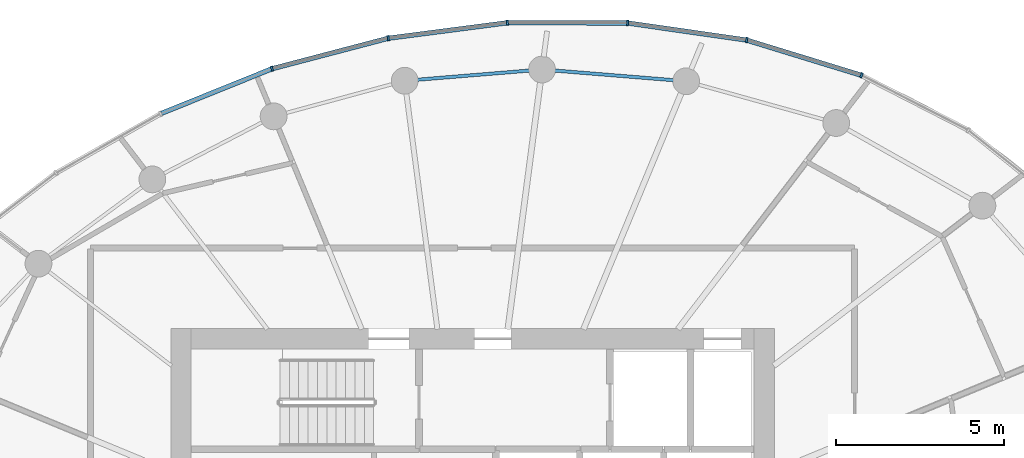
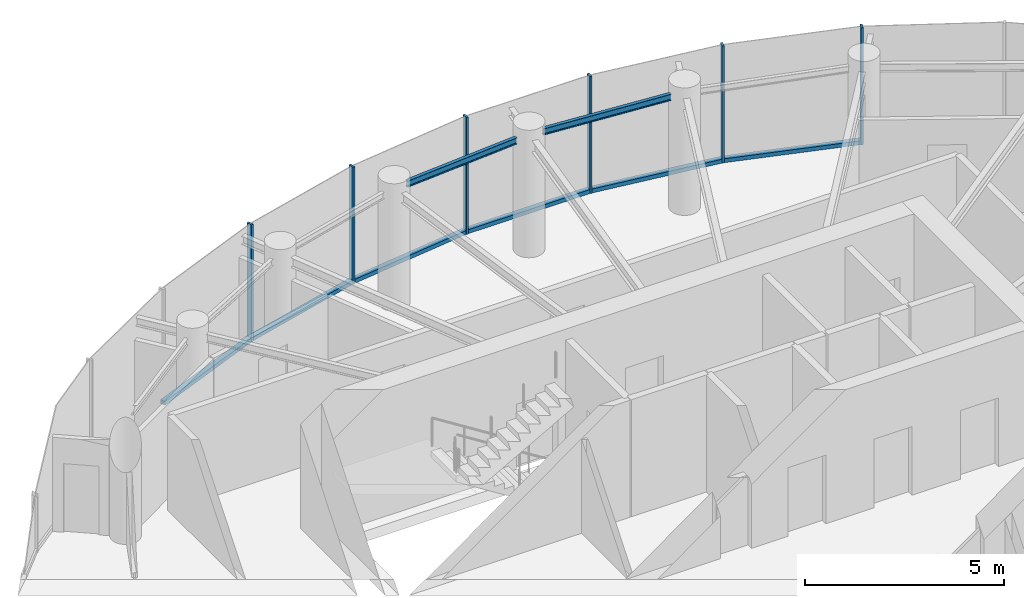
# One storey, part 6 of 13: 12 members, 2 beams, 2 elements without a shape of their own.
"""IFC4 building model written with IfcOpenShell, lengths in metres."""

from ifc_helpers import new_model, si_unit, direction, frame, origin, origin_2d, place, context, subcontext, project, spatial, rectangle, i_section, extrude, source, transform, mapped, material, layer, layer_set, material_profile, profile_set, type_object, element, aggregate, save


model = new_model("IFC4")

# Units and contexts
model_context = context("Model", 3, precision=1e-05, world=origin(), true_north=direction((0.0, 1.0)))
body_context = subcontext(model_context, "Body", "Model", "MODEL_VIEW")
ifc_project = project(units=[si_unit("LENGTHUNIT", "METRE"), si_unit("AREAUNIT", "SQUARE_METRE"), si_unit("VOLUMEUNIT", "CUBIC_METRE"), si_unit("PLANEANGLEUNIT", "RADIAN"), si_unit("MASSUNIT", "GRAM", prefix="KILO")], contexts=[model_context])

# Site, building, storey
site_placement = place(None, origin())
site = spatial("IfcSite", under=ifc_project, at=site_placement, CompositionType="ELEMENT")
building_placement = place(site_placement, origin())
building = spatial("IfcBuilding", under=site, at=building_placement, Name="Spindrift Exchange Tower", CompositionType="ELEMENT")
storey_placement = place(building_placement, frame((0.0, 0.0, 257.89990234375)))
storey = spatial("IfcBuildingStorey", under=building, at=storey_placement, Name="L63", CompositionType="ELEMENT", Elevation=257.89990234375)

# Beams
ifc_material_1 = material(Name="Steel Grade 300", Category="steel")
ifc_material_profile_1 = material_profile(ifc_material_1, i_section(OverallWidth=0.09912109375, OverallDepth=0.197998046875, WebThickness=0.00439453125, FlangeThickness=0.007080078125, FilletRadius=0.010986328125, at=origin_2d()), Name="200UB18.2")
ifc_profile_set_1 = profile_set([ifc_material_profile_1], Name="Steel Grade 300")
beam_type = type_object("IfcBeamType", Name="Edge Beam 200UB18.2 Steel Grade 300", PredefinedType="SPANDREL", material=ifc_profile_set_1)
shared_shape_1 = source(origin(), body_context, "Body", "SweptSolid", [
    extrude(i_section(OverallWidth=0.09912109375, OverallDepth=0.197998046875, WebThickness=0.00439453125, FlangeThickness=0.007080078125, FilletRadius=0.010986328125, at=origin_2d()), origin(), (0.0, 0.0, 1.0), 3.5546875),
])
beam_1_placement = place(storey_placement, frame((57.992919921875, 63.413330078125, 3.481201171875), z_axis=(-0.996727103969, 0.080839842983, 0.0), x_axis=(-0.080839842983, -0.996727103969, 0.0)))
element("IfcBeam", 1, at=beam_1_placement, inside=storey, type_object=beam_type, Name="L63 edge beam E05", PredefinedType="SPANDREL", context=body_context, shape_type="MappedRepresentation", body=[
    mapped(shared_shape_1, transform((0.0, 0.0, 0.0), scale=1.0)),
])
shared_shape_2 = source(origin(), body_context, "Body", "SweptSolid", [
    extrude(i_section(OverallWidth=0.09912109375, OverallDepth=0.197998046875, WebThickness=0.00439453125, FlangeThickness=0.007080078125, FilletRadius=0.010986328125, at=origin_2d()), origin(), (0.0, 0.0, 1.0), 3.351806640625),
])
beam_2_placement = place(storey_placement, frame((53.6923828125, 63.7001953125, 3.481201171875), z_axis=(-0.996672670999, -0.081508201334, 0.0), x_axis=(0.081508201334, -0.996672670999, 0.0)))
element("IfcBeam", 2, at=beam_2_placement, inside=storey, type_object=beam_type, Name="L63 edge beam E06", PredefinedType="SPANDREL", context=body_context, shape_type="MappedRepresentation", body=[
    mapped(shared_shape_2, transform((0.0, 0.0, 0.0), scale=1.0)),
])

# Curtain wall, members
ifc_material_2 = material(Name="Fritted laminated glass with bronze frame", Category="glass")
ifc_layer = layer(ifc_material_2, 0.159912109375)
ifc_layer_set = layer_set([ifc_layer], Name="ZONE 5 BRONZE FRITTED WALL")
curtain_wall_type = type_object("IfcCurtainWallType", Name="ZONE 5 BRONZE FRITTED WALL", PredefinedType="NOTDEFINED", material=ifc_layer_set)
curtain_wall_1_placement = place(storey_placement, origin())
curtain_wall_1 = element("IfcCurtainWall", 3, at=curtain_wall_1_placement, inside=storey, type_object=curtain_wall_type, Name="L63 Zone 5 Bronze Fritted Wall run 1", PredefinedType="NOTDEFINED")
ifc_material_3 = material(Name="Bronze anodised aluminium", Category="aluminium")
ifc_material_profile_2 = material_profile(ifc_material_3, rectangle(XDim=0.06005859375, YDim=0.159912109375, at=origin_2d()), Name="ZONE 5 BRONZE FRITTED WALL MULLION 60X160")
ifc_profile_set_2 = profile_set([ifc_material_profile_2], Name="Bronze anodised aluminium")
member_type_1 = type_object("IfcMemberType", Name="ZONE 5 BRONZE FRITTED WALL MULLION 60X160", PredefinedType="MULLION", material=ifc_profile_set_2)
shared_shape_3 = source(origin(), body_context, "Body", "SweptSolid", [
    extrude(rectangle(XDim=0.06005859375, YDim=0.159912109375, at=origin_2d()), origin(), (0.0, 0.0, 1.0), 3.580078125),
])
member_1_placement = place(storey_placement, frame((63.601806640625, 63.559326171875, 0.0), z_axis=(0.0, 0.0, 1.0), x_axis=(-0.926595645909, 0.376059182819, 0.0)))
member_1 = element("IfcMember", 4, at=member_1_placement, type_object=member_type_1, Name="L63 mullion CW-5.5", PredefinedType="MULLION", context=body_context, shape_type="MappedRepresentation", body=[
    mapped(shared_shape_3, transform((0.0, 0.0, 0.0), scale=1.0)),
])
member_2_placement = place(storey_placement, frame((60.174560546875, 64.6103515625, 0.0), z_axis=(0.0, 0.0, 1.0), x_axis=(-0.975881848928, 0.21829937456, 0.0)))
member_2 = element("IfcMember", 5, at=member_2_placement, type_object=member_type_1, Name="L63 mullion CW-5.6", PredefinedType="MULLION", context=body_context, shape_type="MappedRepresentation", body=[
    mapped(shared_shape_3, transform((0.0, 0.0, 0.0), scale=1.0)),
])

curtain_wall_2_placement = place(storey_placement, origin())
curtain_wall_2 = element("IfcCurtainWall", 6, at=curtain_wall_2_placement, inside=storey, type_object=curtain_wall_type, Name="L63 Zone 5 Bronze Fritted Wall run 2", PredefinedType="NOTDEFINED")
member_3_placement = place(storey_placement, frame((56.62548828125, 65.119873046875, 0.0), z_axis=(0.0, 0.0, 1.0), x_axis=(-0.99738378234, 0.072288247493, 0.0)))
member_3 = element("IfcMember", 7, at=member_3_placement, type_object=member_type_1, Name="L63 mullion CW-5.7", PredefinedType="MULLION", context=body_context, shape_type="MappedRepresentation", body=[
    mapped(shared_shape_3, transform((0.0, 0.0, 0.0), scale=1.0)),
])
member_4_placement = place(storey_placement, frame((53.039306640625, 65.12744140625, 0.0), z_axis=(0.0, 0.0, 1.0), x_axis=(-0.99797802039, -0.063559978126, 0.0)))
member_4 = element("IfcMember", 8, at=member_4_placement, type_object=member_type_1, Name="L63 mullion CW-5.8", PredefinedType="MULLION", context=body_context, shape_type="MappedRepresentation", body=[
    mapped(shared_shape_3, transform((0.0, 0.0, 0.0), scale=1.0)),
])
member_5_placement = place(storey_placement, frame((49.483154296875, 64.6650390625, 0.0), z_axis=(0.0, 0.0, 1.0), x_axis=(-0.981451727624, -0.191709432067, 0.0)))
member_5 = element("IfcMember", 9, at=member_5_placement, type_object=member_type_1, Name="L63 mullion CW-5.9", PredefinedType="MULLION", context=body_context, shape_type="MappedRepresentation", body=[
    mapped(shared_shape_3, transform((0.0, 0.0, 0.0), scale=1.0)),
])
member_6_placement = place(storey_placement, frame((46.013916015625, 63.755126953125, 0.0), z_axis=(0.0, 0.0, 1.0), x_axis=(-0.949212278989, -0.314636376498, 0.0)))
member_6 = element("IfcMember", 10, at=member_6_placement, type_object=member_type_1, Name="L63 mullion CW-5.10", PredefinedType="MULLION", context=body_context, shape_type="MappedRepresentation", body=[
    mapped(shared_shape_3, transform((0.0, 0.0, 0.0), scale=1.0)),
])
ifc_material_profile_3 = material_profile(ifc_material_3, rectangle(XDim=0.139892578125, YDim=0.1201171875, at=origin_2d()), Name="ZONE 5 BRONZE FRITTED WALL TRANSOM 140X120")
ifc_profile_set_3 = profile_set([ifc_material_profile_3], Name="Bronze anodised aluminium")
member_type_2 = type_object("IfcMemberType", Name="ZONE 5 BRONZE FRITTED WALL TRANSOM 140X120", PredefinedType="USERDEFINED", material=ifc_profile_set_3)
shared_shape_4 = source(origin(), body_context, "Body", "SweptSolid", [
    extrude(rectangle(XDim=0.139892578125, YDim=0.1201171875, at=origin_2d()), origin(), (0.0, 0.0, 1.0), 3.5263671875),
])
member_7_placement = place(storey_placement, frame((53.009765625, 65.12353515625, 0.06005859375), z_axis=(-0.991655528833, -0.1289159111, 0.0), x_axis=(0.1289159111, -0.991655528833, 0.0)))
member_7 = element("IfcMember", 11, at=member_7_placement, type_object=member_type_2, Name="L63 transom CW-5.8", ObjectType="TRANSOM", PredefinedType="USERDEFINED", context=body_context, shape_type="MappedRepresentation", body=[
    mapped(shared_shape_4, transform((0.0, 0.0, 0.0), scale=1.0)),
])

# Member
shared_shape_5 = source(origin(), body_context, "Body", "SweptSolid", [
    extrude(rectangle(XDim=0.139892578125, YDim=0.1201171875, at=origin_2d()), origin(), (0.0, 0.0, 1.0), 3.524658203125),
])
member_8_placement = place(storey_placement, frame((63.572998046875, 63.568115234375, 0.06005859375), z_axis=(-0.956052654973, 0.293195021988, 0.0), x_axis=(-0.293195021988, -0.956052654973, 0.0)))
member_8 = element("IfcMember", 12, at=member_8_placement, type_object=member_type_2, Name="L63 transom CW-5.5", ObjectType="TRANSOM", PredefinedType="USERDEFINED", context=body_context, shape_type="MappedRepresentation", body=[
    mapped(shared_shape_5, transform((0.0, 0.0, 0.0), scale=1.0)),
])

shared_shape_6 = source(origin(), body_context, "Body", "SweptSolid", [
    extrude(rectangle(XDim=0.139892578125, YDim=0.1201171875, at=origin_2d()), origin(), (0.0, 0.0, 1.0), 3.526123046875),
])
member_9_placement = place(storey_placement, frame((56.595458984375, 65.119873046875, 0.06005859375), z_axis=(-0.999997696559, 0.002146363539, 0.0), x_axis=(-0.002146363539, -0.999997696559, 0.0)))
member_9 = element("IfcMember", 13, at=member_9_placement, type_object=member_type_2, Name="L63 transom CW-5.7", ObjectType="TRANSOM", PredefinedType="USERDEFINED", context=body_context, shape_type="MappedRepresentation", body=[
    mapped(shared_shape_6, transform((0.0, 0.0, 0.0), scale=1.0)),
])

member_10_placement = place(storey_placement, frame((45.986083984375, 63.743896484375, 0.06005859375), z_axis=(-0.927307010424, -0.374301627593, 0.0), x_axis=(0.374301627593, -0.927307010424, 0.0)))
member_10 = element("IfcMember", 14, at=member_10_placement, type_object=member_type_2, Name="L63 transom CW-5.10", ObjectType="TRANSOM", PredefinedType="USERDEFINED", context=body_context, shape_type="MappedRepresentation", body=[
    mapped(shared_shape_6, transform((0.0, 0.0, 0.0), scale=1.0)),
])

shared_shape_7 = source(origin(), body_context, "Body", "SweptSolid", [
    extrude(rectangle(XDim=0.139892578125, YDim=0.1201171875, at=origin_2d()), origin(), (0.0, 0.0, 1.0), 3.525634765625),
])
member_11_placement = place(storey_placement, frame((60.144775390625, 64.61474609375, 0.06005859375), z_axis=(-0.989852311748, 0.142099968078, 0.0), x_axis=(-0.142099968078, -0.989852311748, 0.0)))
member_11 = element("IfcMember", 15, at=member_11_placement, type_object=member_type_2, Name="L63 transom CW-5.6", ObjectType="TRANSOM", PredefinedType="USERDEFINED", context=body_context, shape_type="MappedRepresentation", body=[
    mapped(shared_shape_7, transform((0.0, 0.0, 0.0), scale=1.0)),
])

aggregate(curtain_wall_1, [member_1, member_8, member_2, member_11])

shared_shape_8 = source(origin(), body_context, "Body", "SweptSolid", [
    extrude(rectangle(XDim=0.139892578125, YDim=0.1201171875, at=origin_2d()), origin(), (0.0, 0.0, 1.0), 3.526611328125),
])
member_12_placement = place(storey_placement, frame((49.4541015625, 64.657470703125, 0.06005859375), z_axis=(-0.967276003534, -0.253726492482, 0.0), x_axis=(0.253726492482, -0.967276003534, 0.0)))
member_12 = element("IfcMember", 16, at=member_12_placement, type_object=member_type_2, Name="L63 transom CW-5.9", ObjectType="TRANSOM", PredefinedType="USERDEFINED", context=body_context, shape_type="MappedRepresentation", body=[
    mapped(shared_shape_8, transform((0.0, 0.0, 0.0), scale=1.0)),
])

aggregate(curtain_wall_2, [member_3, member_9, member_4, member_7, member_5, member_12, member_6, member_10])

save(model, "model.ifc")
